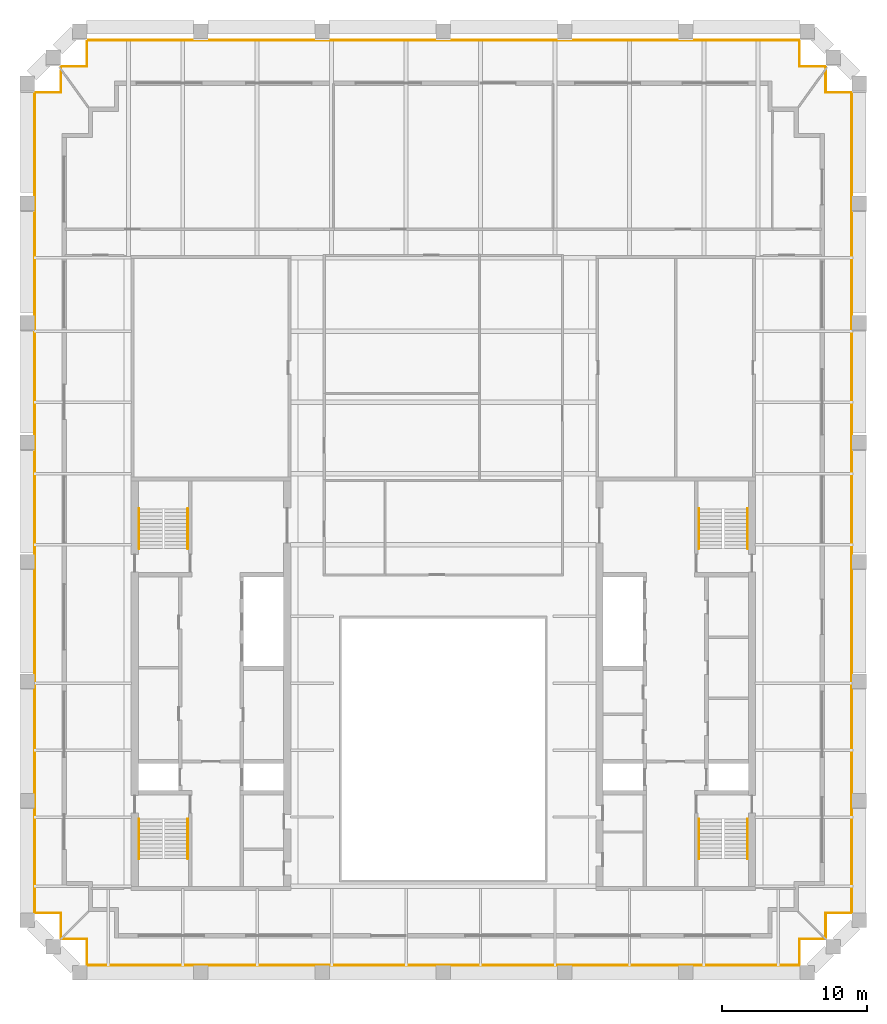
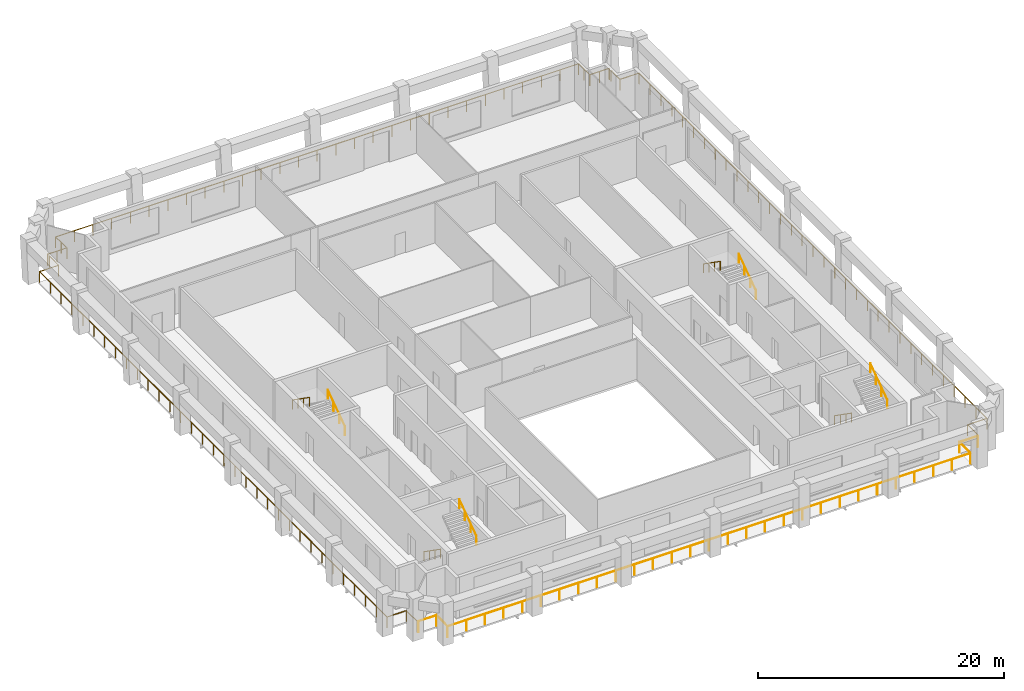
# One storey, part 7 of 7: 12 railings.
"""IFC4 building model written with IfcOpenShell, lengths in metres."""

from ifc_helpers import new_model, si_unit, direction, frame, origin, origin_2d, place, context, subcontext, project, spatial, circle, extrude, material, type_object, element, save


model = new_model("IFC4")

# Units and contexts
model_context = context("Model", 3, precision=1e-05, world=origin(), true_north=direction((0.0, 1.0)))
body_context = subcontext(model_context, "Body", "Model", "MODEL_VIEW")
ifc_project = project(units=[si_unit("LENGTHUNIT", "METRE"), si_unit("AREAUNIT", "SQUARE_METRE"), si_unit("VOLUMEUNIT", "CUBIC_METRE"), si_unit("PLANEANGLEUNIT", "RADIAN"), si_unit("MASSUNIT", "GRAM", prefix="KILO")], contexts=[model_context])

# Site, building, storey
site_placement = place(None, origin())
site = spatial("IfcSite", under=ifc_project, at=site_placement, CompositionType="ELEMENT")
building_placement = place(site_placement, origin())
building = spatial("IfcBuilding", under=site, at=building_placement, Name="Ogive Exchange Tower", CompositionType="ELEMENT")
storey_placement = place(building_placement, frame((0.0, 0.0, 313.199951171875)))
storey = spatial("IfcBuildingStorey", under=building, at=storey_placement, Name="L68", CompositionType="ELEMENT", Elevation=313.199951171875)

# Railings
ifc_material_1 = material(Name="Stainless steel 316", Category="steel")
railing_type_1 = type_object("IfcRailingType", Name="Guard 1100 stainless steel and glass", PredefinedType="GUARDRAIL", material=ifc_material_1)
railing_1_placement = place(storey_placement, frame((26.238037109375, -6.080078125, -0.050048828125)))
element("IfcRailing", 1, at=railing_1_placement, inside=storey, type_object=railing_type_1, Name="Loggia guard 1", PredefinedType="GUARDRAIL", context=body_context, shape_type="SweptSolid", body=[
    extrude(circle(Radius=0.02392578125, at=origin_2d()), frame((0.0, 0.0, 1.076171875), z_axis=(-1.0, 0.0, 0.0), x_axis=(0.0, -1.0, 0.0)), (0.0, 0.0, 1.0), 1.7080078125),
    extrude(circle(Radius=0.02392578125, at=origin_2d()), frame((-1.7080078125, 0.0, 1.076171875), z_axis=(0.0, -1.0, 0.0), x_axis=(1.0, 0.0, 0.0)), (0.0, 0.0, 1.0), 1.7998046875),
    extrude(circle(Radius=0.02392578125, at=origin_2d()), frame((-1.7080078125, -1.7998046875, 1.076171875), z_axis=(-1.0, 0.0, 0.0), x_axis=(0.0, -1.0, 0.0)), (0.0, 0.0, 1.0), 49.06005859375),
    extrude(circle(Radius=0.02392578125, at=origin_2d()), frame((-50.76806640625, -1.7998046875, 1.076171875), z_axis=(0.0, 1.0, 0.0), x_axis=(-1.0, 0.0, 0.0)), (0.0, 0.0, 1.0), 1.7998046875),
    extrude(circle(Radius=0.02392578125, at=origin_2d()), frame((-50.76806640625, 0.0, 1.076171875), z_axis=(-1.0, 0.0, 0.0), x_axis=(0.0, -1.0, 0.0)), (0.0, 0.0, 1.0), 1.7080078125),
    extrude(circle(Radius=0.02099609375, at=origin_2d()), origin(), (0.0, 0.0, 1.0), 1.052001953125),
    extrude(circle(Radius=0.02099609375, at=origin_2d()), frame((-1.7080078125, 0.0, 0.0)), (0.0, 0.0, 1.0), 1.052001953125),
    extrude(circle(Radius=0.02099609375, at=origin_2d()), frame((-1.7080078125, -1.7998046875, 0.0)), (0.0, 0.0, 1.0), 1.052001953125),
    extrude(circle(Radius=0.02099609375, at=origin_2d()), frame((-3.460205078125, -1.7998046875, 0.0)), (0.0, 0.0, 1.0), 1.052001953125),
    extrude(circle(Radius=0.02099609375, at=origin_2d()), frame((-5.21240234375, -1.7998046875, 0.0)), (0.0, 0.0, 1.0), 1.052001953125),
    extrude(circle(Radius=0.02099609375, at=origin_2d()), frame((-6.96435546875, -1.7998046875, 0.0)), (0.0, 0.0, 1.0), 1.052001953125),
    extrude(circle(Radius=0.02099609375, at=origin_2d()), frame((-8.716552734375, -1.7998046875, 0.0)), (0.0, 0.0, 1.0), 1.052001953125),
    extrude(circle(Radius=0.02099609375, at=origin_2d()), frame((-10.46875, -1.7998046875, 0.0)), (0.0, 0.0, 1.0), 1.052001953125),
    extrude(circle(Radius=0.02099609375, at=origin_2d()), frame((-12.220947265625, -1.7998046875, 0.0)), (0.0, 0.0, 1.0), 1.052001953125),
    extrude(circle(Radius=0.02099609375, at=origin_2d()), frame((-13.97314453125, -1.7998046875, 0.0)), (0.0, 0.0, 1.0), 1.052001953125),
    extrude(circle(Radius=0.02099609375, at=origin_2d()), frame((-15.72509765625, -1.7998046875, 0.0)), (0.0, 0.0, 1.0), 1.052001953125),
    extrude(circle(Radius=0.02099609375, at=origin_2d()), frame((-17.477294921875, -1.7998046875, 0.0)), (0.0, 0.0, 1.0), 1.052001953125),
    extrude(circle(Radius=0.02099609375, at=origin_2d()), frame((-19.2294921875, -1.7998046875, 0.0)), (0.0, 0.0, 1.0), 1.052001953125),
    extrude(circle(Radius=0.02099609375, at=origin_2d()), frame((-20.981689453125, -1.7998046875, 0.0)), (0.0, 0.0, 1.0), 1.052001953125),
    extrude(circle(Radius=0.02099609375, at=origin_2d()), frame((-22.733642578125, -1.7998046875, 0.0)), (0.0, 0.0, 1.0), 1.052001953125),
    extrude(circle(Radius=0.02099609375, at=origin_2d()), frame((-24.48583984375, -1.7998046875, 0.0)), (0.0, 0.0, 1.0), 1.052001953125),
    extrude(circle(Radius=0.02099609375, at=origin_2d()), frame((-26.238037109375, -1.7998046875, 0.0)), (0.0, 0.0, 1.0), 1.052001953125),
    extrude(circle(Radius=0.02099609375, at=origin_2d()), frame((-27.990234375, -1.7998046875, 0.0)), (0.0, 0.0, 1.0), 1.052001953125),
    extrude(circle(Radius=0.02099609375, at=origin_2d()), frame((-29.742431640625, -1.7998046875, 0.0)), (0.0, 0.0, 1.0), 1.052001953125),
    extrude(circle(Radius=0.02099609375, at=origin_2d()), frame((-31.494384765625, -1.7998046875, 0.0)), (0.0, 0.0, 1.0), 1.052001953125),
    extrude(circle(Radius=0.02099609375, at=origin_2d()), frame((-33.24658203125, -1.7998046875, 0.0)), (0.0, 0.0, 1.0), 1.052001953125),
    extrude(circle(Radius=0.02099609375, at=origin_2d()), frame((-34.998779296875, -1.7998046875, 0.0)), (0.0, 0.0, 1.0), 1.052001953125),
    extrude(circle(Radius=0.02099609375, at=origin_2d()), frame((-36.7509765625, -1.7998046875, 0.0)), (0.0, 0.0, 1.0), 1.052001953125),
    extrude(circle(Radius=0.02099609375, at=origin_2d()), frame((-38.5029296875, -1.7998046875, 0.0)), (0.0, 0.0, 1.0), 1.052001953125),
    extrude(circle(Radius=0.02099609375, at=origin_2d()), frame((-40.255126953125, -1.7998046875, 0.0)), (0.0, 0.0, 1.0), 1.052001953125),
    extrude(circle(Radius=0.02099609375, at=origin_2d()), frame((-42.00732421875, -1.7998046875, 0.0)), (0.0, 0.0, 1.0), 1.052001953125),
    extrude(circle(Radius=0.02099609375, at=origin_2d()), frame((-43.759521484375, -1.7998046875, 0.0)), (0.0, 0.0, 1.0), 1.052001953125),
    extrude(circle(Radius=0.02099609375, at=origin_2d()), frame((-45.51171875, -1.7998046875, 0.0)), (0.0, 0.0, 1.0), 1.052001953125),
    extrude(circle(Radius=0.02099609375, at=origin_2d()), frame((-47.263671875, -1.7998046875, 0.0)), (0.0, 0.0, 1.0), 1.052001953125),
    extrude(circle(Radius=0.02099609375, at=origin_2d()), frame((-49.015869140625, -1.7998046875, 0.0)), (0.0, 0.0, 1.0), 1.052001953125),
    extrude(circle(Radius=0.02099609375, at=origin_2d()), frame((-50.76806640625, -1.7998046875, 0.0)), (0.0, 0.0, 1.0), 1.052001953125),
    extrude(circle(Radius=0.02099609375, at=origin_2d()), frame((-50.76806640625, 0.0, 0.0)), (0.0, 0.0, 1.0), 1.052001953125),
    extrude(circle(Radius=0.02099609375, at=origin_2d()), frame((-52.47607421875, 0.0, 0.0)), (0.0, 0.0, 1.0), 1.052001953125),
])
railing_2_placement = place(storey_placement, frame((-26.330078125, -5.988037109375, -0.050048828125)))
element("IfcRailing", 2, at=railing_2_placement, inside=storey, type_object=railing_type_1, Name="Loggia guard 2", PredefinedType="GUARDRAIL", context=body_context, shape_type="SweptSolid", body=[
    extrude(circle(Radius=0.02392578125, at=origin_2d()), frame((0.0, 0.0, 1.076171875), z_axis=(0.0, 1.0, 0.0), x_axis=(-1.0, 0.0, 0.0)), (0.0, 0.0, 1.0), 1.7080078125),
    extrude(circle(Radius=0.02392578125, at=origin_2d()), frame((0.0, 1.7080078125, 1.076171875), z_axis=(-1.0, 0.0, 0.0), x_axis=(0.0, -1.0, 0.0)), (0.0, 0.0, 1.0), 1.7998046875),
    extrude(circle(Radius=0.02392578125, at=origin_2d()), frame((-1.7998046875, 1.7080078125, 1.076171875), z_axis=(0.0, 1.0, 0.0), x_axis=(-1.0, 0.0, 0.0)), (0.0, 0.0, 1.0), 56.4873046875),
    extrude(circle(Radius=0.02392578125, at=origin_2d()), frame((-1.7998046875, 58.1953125, 1.076171875), z_axis=(1.0, 0.0, 0.0), x_axis=(0.0, 1.0, 0.0)), (0.0, 0.0, 1.0), 1.7998046875),
    extrude(circle(Radius=0.02392578125, at=origin_2d()), frame((0.0, 58.1953125, 1.076171875), z_axis=(0.0, 1.0, 0.0), x_axis=(-1.0, 0.0, 0.0)), (0.0, 0.0, 1.0), 1.488037109375),
    extrude(circle(Radius=0.02099609375, at=origin_2d()), origin(), (0.0, 0.0, 1.0), 1.052001953125),
    extrude(circle(Radius=0.02099609375, at=origin_2d()), frame((0.0, 1.7080078125, 0.0)), (0.0, 0.0, 1.0), 1.052001953125),
    extrude(circle(Radius=0.02099609375, at=origin_2d()), frame((-1.7998046875, 1.7080078125, 0.0)), (0.0, 0.0, 1.0), 1.052001953125),
    extrude(circle(Radius=0.02099609375, at=origin_2d()), frame((-1.7998046875, 3.47314453125, 0.0)), (0.0, 0.0, 1.0), 1.052001953125),
    extrude(circle(Radius=0.02099609375, at=origin_2d()), frame((-1.7998046875, 5.238525390625, 0.0)), (0.0, 0.0, 1.0), 1.052001953125),
    extrude(circle(Radius=0.02099609375, at=origin_2d()), frame((-1.7998046875, 7.003662109375, 0.0)), (0.0, 0.0, 1.0), 1.052001953125),
    extrude(circle(Radius=0.02099609375, at=origin_2d()), frame((-1.7998046875, 8.76904296875, 0.0)), (0.0, 0.0, 1.0), 1.052001953125),
    extrude(circle(Radius=0.02099609375, at=origin_2d()), frame((-1.7998046875, 10.5341796875, 0.0)), (0.0, 0.0, 1.0), 1.052001953125),
    extrude(circle(Radius=0.02099609375, at=origin_2d()), frame((-1.7998046875, 12.29931640625, 0.0)), (0.0, 0.0, 1.0), 1.052001953125),
    extrude(circle(Radius=0.02099609375, at=origin_2d()), frame((-1.7998046875, 14.064697265625, 0.0)), (0.0, 0.0, 1.0), 1.052001953125),
    extrude(circle(Radius=0.02099609375, at=origin_2d()), frame((-1.7998046875, 15.829833984375, 0.0)), (0.0, 0.0, 1.0), 1.052001953125),
    extrude(circle(Radius=0.02099609375, at=origin_2d()), frame((-1.7998046875, 17.594970703125, 0.0)), (0.0, 0.0, 1.0), 1.052001953125),
    extrude(circle(Radius=0.02099609375, at=origin_2d()), frame((-1.7998046875, 19.3603515625, 0.0)), (0.0, 0.0, 1.0), 1.052001953125),
    extrude(circle(Radius=0.02099609375, at=origin_2d()), frame((-1.7998046875, 21.12548828125, 0.0)), (0.0, 0.0, 1.0), 1.052001953125),
    extrude(circle(Radius=0.02099609375, at=origin_2d()), frame((-1.7998046875, 22.890625, 0.0)), (0.0, 0.0, 1.0), 1.052001953125),
    extrude(circle(Radius=0.02099609375, at=origin_2d()), frame((-1.7998046875, 24.656005859375, 0.0)), (0.0, 0.0, 1.0), 1.052001953125),
    extrude(circle(Radius=0.02099609375, at=origin_2d()), frame((-1.7998046875, 26.421142578125, 0.0)), (0.0, 0.0, 1.0), 1.052001953125),
    extrude(circle(Radius=0.02099609375, at=origin_2d()), frame((-1.7998046875, 28.1865234375, 0.0)), (0.0, 0.0, 1.0), 1.052001953125),
    extrude(circle(Radius=0.02099609375, at=origin_2d()), frame((-1.7998046875, 29.95166015625, 0.0)), (0.0, 0.0, 1.0), 1.052001953125),
    extrude(circle(Radius=0.02099609375, at=origin_2d()), frame((-1.7998046875, 31.716796875, 0.0)), (0.0, 0.0, 1.0), 1.052001953125),
    extrude(circle(Radius=0.02099609375, at=origin_2d()), frame((-1.7998046875, 33.482177734375, 0.0)), (0.0, 0.0, 1.0), 1.052001953125),
    extrude(circle(Radius=0.02099609375, at=origin_2d()), frame((-1.7998046875, 35.247314453125, 0.0)), (0.0, 0.0, 1.0), 1.052001953125),
    extrude(circle(Radius=0.02099609375, at=origin_2d()), frame((-1.7998046875, 37.0126953125, 0.0)), (0.0, 0.0, 1.0), 1.052001953125),
    extrude(circle(Radius=0.02099609375, at=origin_2d()), frame((-1.7998046875, 38.77783203125, 0.0)), (0.0, 0.0, 1.0), 1.052001953125),
    extrude(circle(Radius=0.02099609375, at=origin_2d()), frame((-1.7998046875, 40.54296875, 0.0)), (0.0, 0.0, 1.0), 1.052001953125),
    extrude(circle(Radius=0.02099609375, at=origin_2d()), frame((-1.7998046875, 42.308349609375, 0.0)), (0.0, 0.0, 1.0), 1.052001953125),
    extrude(circle(Radius=0.02099609375, at=origin_2d()), frame((-1.7998046875, 44.073486328125, 0.0)), (0.0, 0.0, 1.0), 1.052001953125),
    extrude(circle(Radius=0.02099609375, at=origin_2d()), frame((-1.7998046875, 45.838623046875, 0.0)), (0.0, 0.0, 1.0), 1.052001953125),
    extrude(circle(Radius=0.02099609375, at=origin_2d()), frame((-1.7998046875, 47.60400390625, 0.0)), (0.0, 0.0, 1.0), 1.052001953125),
    extrude(circle(Radius=0.02099609375, at=origin_2d()), frame((-1.7998046875, 49.369140625, 0.0)), (0.0, 0.0, 1.0), 1.052001953125),
    extrude(circle(Radius=0.02099609375, at=origin_2d()), frame((-1.7998046875, 51.13427734375, 0.0)), (0.0, 0.0, 1.0), 1.052001953125),
    extrude(circle(Radius=0.02099609375, at=origin_2d()), frame((-1.7998046875, 52.899658203125, 0.0)), (0.0, 0.0, 1.0), 1.052001953125),
    extrude(circle(Radius=0.02099609375, at=origin_2d()), frame((-1.7998046875, 54.664794921875, 0.0)), (0.0, 0.0, 1.0), 1.052001953125),
    extrude(circle(Radius=0.02099609375, at=origin_2d()), frame((-1.7998046875, 56.43017578125, 0.0)), (0.0, 0.0, 1.0), 1.052001953125),
    extrude(circle(Radius=0.02099609375, at=origin_2d()), frame((-1.7998046875, 58.1953125, 0.0)), (0.0, 0.0, 1.0), 1.052001953125),
    extrude(circle(Radius=0.02099609375, at=origin_2d()), frame((0.0, 58.1953125, 0.0)), (0.0, 0.0, 1.0), 1.052001953125),
    extrude(circle(Radius=0.02099609375, at=origin_2d()), frame((0.0, 59.683349609375, 0.0)), (0.0, 0.0, 1.0), 1.052001953125),
])
railing_3_placement = place(storey_placement, frame((-26.330078125, 53.91748046875, -0.050048828125)))
element("IfcRailing", 3, at=railing_3_placement, inside=storey, type_object=railing_type_1, Name="Loggia guard 3", PredefinedType="GUARDRAIL", context=body_context, shape_type="SweptSolid", body=[
    extrude(circle(Radius=0.02392578125, at=origin_2d()), frame((0.0, 0.0, 1.076171875), z_axis=(0.0, 1.0, 0.0), x_axis=(-1.0, 0.0, 0.0)), (0.0, 0.0, 1.0), 0.08984375),
    extrude(circle(Radius=0.02392578125, at=origin_2d()), frame((0.0, 0.08984375, 1.076171875), z_axis=(1.0, 0.0, 0.0), x_axis=(0.0, 1.0, 0.0)), (0.0, 0.0, 1.0), 1.800048828125),
    extrude(circle(Radius=0.02392578125, at=origin_2d()), frame((1.800048828125, 0.08984375, 1.076171875), z_axis=(0.0, 1.0, 0.0), x_axis=(-1.0, 0.0, 0.0)), (0.0, 0.0, 1.0), 1.800048828125),
    extrude(circle(Radius=0.02392578125, at=origin_2d()), frame((1.800048828125, 1.889892578125, 1.076171875), z_axis=(1.0, 0.0, 0.0), x_axis=(0.0, 1.0, 0.0)), (0.0, 0.0, 1.0), 49.06005859375),
    extrude(circle(Radius=0.02392578125, at=origin_2d()), frame((50.860107421875, 1.889892578125, 1.076171875), z_axis=(0.0, -1.0, 0.0), x_axis=(1.0, 0.0, 0.0)), (0.0, 0.0, 1.0), 1.800048828125),
    extrude(circle(Radius=0.02392578125, at=origin_2d()), frame((50.860107421875, 0.08984375, 1.076171875), z_axis=(1.0, 0.0, 0.0), x_axis=(0.0, 1.0, 0.0)), (0.0, 0.0, 1.0), 1.800048828125),
    extrude(circle(Radius=0.02392578125, at=origin_2d()), frame((52.66015625, 0.08984375, 1.076171875), z_axis=(0.0, -1.0, 0.0), x_axis=(1.0, 0.0, 0.0)), (0.0, 0.0, 1.0), 0.08984375),
    extrude(circle(Radius=0.02099609375, at=origin_2d()), origin(), (0.0, 0.0, 1.0), 1.052001953125),
    extrude(circle(Radius=0.02099609375, at=origin_2d()), frame((0.0, 0.08984375, 0.0)), (0.0, 0.0, 1.0), 1.052001953125),
    extrude(circle(Radius=0.02099609375, at=origin_2d()), frame((0.89990234375, 0.08984375, 0.0)), (0.0, 0.0, 1.0), 1.052001953125),
    extrude(circle(Radius=0.02099609375, at=origin_2d()), frame((1.800048828125, 0.08984375, 0.0)), (0.0, 0.0, 1.0), 1.052001953125),
    extrude(circle(Radius=0.02099609375, at=origin_2d()), frame((1.800048828125, 0.98974609375, 0.0)), (0.0, 0.0, 1.0), 1.052001953125),
    extrude(circle(Radius=0.02099609375, at=origin_2d()), frame((1.800048828125, 1.889892578125, 0.0)), (0.0, 0.0, 1.0), 1.052001953125),
    extrude(circle(Radius=0.02099609375, at=origin_2d()), frame((3.55224609375, 1.889892578125, 0.0)), (0.0, 0.0, 1.0), 1.052001953125),
    extrude(circle(Radius=0.02099609375, at=origin_2d()), frame((5.304443359375, 1.889892578125, 0.0)), (0.0, 0.0, 1.0), 1.052001953125),
    extrude(circle(Radius=0.02099609375, at=origin_2d()), frame((7.056396484375, 1.889892578125, 0.0)), (0.0, 0.0, 1.0), 1.052001953125),
    extrude(circle(Radius=0.02099609375, at=origin_2d()), frame((8.80859375, 1.889892578125, 0.0)), (0.0, 0.0, 1.0), 1.052001953125),
    extrude(circle(Radius=0.02099609375, at=origin_2d()), frame((10.560791015625, 1.889892578125, 0.0)), (0.0, 0.0, 1.0), 1.052001953125),
    extrude(circle(Radius=0.02099609375, at=origin_2d()), frame((12.31298828125, 1.889892578125, 0.0)), (0.0, 0.0, 1.0), 1.052001953125),
    extrude(circle(Radius=0.02099609375, at=origin_2d()), frame((14.06494140625, 1.889892578125, 0.0)), (0.0, 0.0, 1.0), 1.052001953125),
    extrude(circle(Radius=0.02099609375, at=origin_2d()), frame((15.817138671875, 1.889892578125, 0.0)), (0.0, 0.0, 1.0), 1.052001953125),
    extrude(circle(Radius=0.02099609375, at=origin_2d()), frame((17.5693359375, 1.889892578125, 0.0)), (0.0, 0.0, 1.0), 1.052001953125),
    extrude(circle(Radius=0.02099609375, at=origin_2d()), frame((19.321533203125, 1.889892578125, 0.0)), (0.0, 0.0, 1.0), 1.052001953125),
    extrude(circle(Radius=0.02099609375, at=origin_2d()), frame((21.07373046875, 1.889892578125, 0.0)), (0.0, 0.0, 1.0), 1.052001953125),
    extrude(circle(Radius=0.02099609375, at=origin_2d()), frame((22.82568359375, 1.889892578125, 0.0)), (0.0, 0.0, 1.0), 1.052001953125),
    extrude(circle(Radius=0.02099609375, at=origin_2d()), frame((24.577880859375, 1.889892578125, 0.0)), (0.0, 0.0, 1.0), 1.052001953125),
    extrude(circle(Radius=0.02099609375, at=origin_2d()), frame((26.330078125, 1.889892578125, 0.0)), (0.0, 0.0, 1.0), 1.052001953125),
    extrude(circle(Radius=0.02099609375, at=origin_2d()), frame((28.082275390625, 1.889892578125, 0.0)), (0.0, 0.0, 1.0), 1.052001953125),
    extrude(circle(Radius=0.02099609375, at=origin_2d()), frame((29.83447265625, 1.889892578125, 0.0)), (0.0, 0.0, 1.0), 1.052001953125),
    extrude(circle(Radius=0.02099609375, at=origin_2d()), frame((31.58642578125, 1.889892578125, 0.0)), (0.0, 0.0, 1.0), 1.052001953125),
    extrude(circle(Radius=0.02099609375, at=origin_2d()), frame((33.338623046875, 1.889892578125, 0.0)), (0.0, 0.0, 1.0), 1.052001953125),
    extrude(circle(Radius=0.02099609375, at=origin_2d()), frame((35.0908203125, 1.889892578125, 0.0)), (0.0, 0.0, 1.0), 1.052001953125),
    extrude(circle(Radius=0.02099609375, at=origin_2d()), frame((36.843017578125, 1.889892578125, 0.0)), (0.0, 0.0, 1.0), 1.052001953125),
    extrude(circle(Radius=0.02099609375, at=origin_2d()), frame((38.59521484375, 1.889892578125, 0.0)), (0.0, 0.0, 1.0), 1.052001953125),
    extrude(circle(Radius=0.02099609375, at=origin_2d()), frame((40.34716796875, 1.889892578125, 0.0)), (0.0, 0.0, 1.0), 1.052001953125),
    extrude(circle(Radius=0.02099609375, at=origin_2d()), frame((42.099365234375, 1.889892578125, 0.0)), (0.0, 0.0, 1.0), 1.052001953125),
    extrude(circle(Radius=0.02099609375, at=origin_2d()), frame((43.8515625, 1.889892578125, 0.0)), (0.0, 0.0, 1.0), 1.052001953125),
    extrude(circle(Radius=0.02099609375, at=origin_2d()), frame((45.603759765625, 1.889892578125, 0.0)), (0.0, 0.0, 1.0), 1.052001953125),
    extrude(circle(Radius=0.02099609375, at=origin_2d()), frame((47.355712890625, 1.889892578125, 0.0)), (0.0, 0.0, 1.0), 1.052001953125),
    extrude(circle(Radius=0.02099609375, at=origin_2d()), frame((49.10791015625, 1.889892578125, 0.0)), (0.0, 0.0, 1.0), 1.052001953125),
    extrude(circle(Radius=0.02099609375, at=origin_2d()), frame((50.860107421875, 1.889892578125, 0.0)), (0.0, 0.0, 1.0), 1.052001953125),
    extrude(circle(Radius=0.02099609375, at=origin_2d()), frame((50.860107421875, 0.98974609375, 0.0)), (0.0, 0.0, 1.0), 1.052001953125),
    extrude(circle(Radius=0.02099609375, at=origin_2d()), frame((50.860107421875, 0.08984375, 0.0)), (0.0, 0.0, 1.0), 1.052001953125),
    extrude(circle(Radius=0.02099609375, at=origin_2d()), frame((51.76025390625, 0.08984375, 0.0)), (0.0, 0.0, 1.0), 1.052001953125),
    extrude(circle(Radius=0.02099609375, at=origin_2d()), frame((52.66015625, 0.08984375, 0.0)), (0.0, 0.0, 1.0), 1.052001953125),
    extrude(circle(Radius=0.02099609375, at=origin_2d()), frame((52.66015625, 0.0, 0.0)), (0.0, 0.0, 1.0), 1.052001953125),
])
railing_4_placement = place(storey_placement, frame((26.330078125, 53.6953125, -0.050048828125)))
element("IfcRailing", 4, at=railing_4_placement, inside=storey, type_object=railing_type_1, Name="Loggia guard 4", PredefinedType="GUARDRAIL", context=body_context, shape_type="SweptSolid", body=[
    extrude(circle(Radius=0.02392578125, at=origin_2d()), frame((0.0, 0.0, 1.076171875), z_axis=(0.0, -1.0, 0.0), x_axis=(1.0, 0.0, 0.0)), (0.0, 0.0, 1.0), 1.488037109375),
    extrude(circle(Radius=0.02392578125, at=origin_2d()), frame((0.0, -1.488037109375, 1.076171875), z_axis=(1.0, 0.0, 0.0), x_axis=(0.0, 1.0, 0.0)), (0.0, 0.0, 1.0), 1.7998046875),
    extrude(circle(Radius=0.02392578125, at=origin_2d()), frame((1.7998046875, -1.488037109375, 1.076171875), z_axis=(0.0, -1.0, 0.0), x_axis=(1.0, 0.0, 0.0)), (0.0, 0.0, 1.0), 56.4873046875),
    extrude(circle(Radius=0.02392578125, at=origin_2d()), frame((1.7998046875, -57.975341796875, 1.076171875), z_axis=(-1.0, 0.0, 0.0), x_axis=(0.0, -1.0, 0.0)), (0.0, 0.0, 1.0), 1.7998046875),
    extrude(circle(Radius=0.02392578125, at=origin_2d()), frame((0.0, -57.975341796875, 1.076171875), z_axis=(0.0, -1.0, 0.0), x_axis=(1.0, 0.0, 0.0)), (0.0, 0.0, 1.0), 1.7080078125),
    extrude(circle(Radius=0.02099609375, at=origin_2d()), origin(), (0.0, 0.0, 1.0), 1.052001953125),
    extrude(circle(Radius=0.02099609375, at=origin_2d()), frame((0.0, -1.488037109375, 0.0)), (0.0, 0.0, 1.0), 1.052001953125),
    extrude(circle(Radius=0.02099609375, at=origin_2d()), frame((1.7998046875, -1.488037109375, 0.0)), (0.0, 0.0, 1.0), 1.052001953125),
    extrude(circle(Radius=0.02099609375, at=origin_2d()), frame((1.7998046875, -3.253173828125, 0.0)), (0.0, 0.0, 1.0), 1.052001953125),
    extrude(circle(Radius=0.02099609375, at=origin_2d()), frame((1.7998046875, -5.0185546875, 0.0)), (0.0, 0.0, 1.0), 1.052001953125),
    extrude(circle(Radius=0.02099609375, at=origin_2d()), frame((1.7998046875, -6.78369140625, 0.0)), (0.0, 0.0, 1.0), 1.052001953125),
    extrude(circle(Radius=0.02099609375, at=origin_2d()), frame((1.7998046875, -8.548828125, 0.0)), (0.0, 0.0, 1.0), 1.052001953125),
    extrude(circle(Radius=0.02099609375, at=origin_2d()), frame((1.7998046875, -10.314208984375, 0.0)), (0.0, 0.0, 1.0), 1.052001953125),
    extrude(circle(Radius=0.02099609375, at=origin_2d()), frame((1.7998046875, -12.079345703125, 0.0)), (0.0, 0.0, 1.0), 1.052001953125),
    extrude(circle(Radius=0.02099609375, at=origin_2d()), frame((1.7998046875, -13.8447265625, 0.0)), (0.0, 0.0, 1.0), 1.052001953125),
    extrude(circle(Radius=0.02099609375, at=origin_2d()), frame((1.7998046875, -15.60986328125, 0.0)), (0.0, 0.0, 1.0), 1.052001953125),
    extrude(circle(Radius=0.02099609375, at=origin_2d()), frame((1.7998046875, -17.375, 0.0)), (0.0, 0.0, 1.0), 1.052001953125),
    extrude(circle(Radius=0.02099609375, at=origin_2d()), frame((1.7998046875, -19.140380859375, 0.0)), (0.0, 0.0, 1.0), 1.052001953125),
    extrude(circle(Radius=0.02099609375, at=origin_2d()), frame((1.7998046875, -20.905517578125, 0.0)), (0.0, 0.0, 1.0), 1.052001953125),
    extrude(circle(Radius=0.02099609375, at=origin_2d()), frame((1.7998046875, -22.6708984375, 0.0)), (0.0, 0.0, 1.0), 1.052001953125),
    extrude(circle(Radius=0.02099609375, at=origin_2d()), frame((1.7998046875, -24.43603515625, 0.0)), (0.0, 0.0, 1.0), 1.052001953125),
    extrude(circle(Radius=0.02099609375, at=origin_2d()), frame((1.7998046875, -26.201171875, 0.0)), (0.0, 0.0, 1.0), 1.052001953125),
    extrude(circle(Radius=0.02099609375, at=origin_2d()), frame((1.7998046875, -27.966552734375, 0.0)), (0.0, 0.0, 1.0), 1.052001953125),
    extrude(circle(Radius=0.02099609375, at=origin_2d()), frame((1.7998046875, -29.731689453125, 0.0)), (0.0, 0.0, 1.0), 1.052001953125),
    extrude(circle(Radius=0.02099609375, at=origin_2d()), frame((1.7998046875, -31.496826171875, 0.0)), (0.0, 0.0, 1.0), 1.052001953125),
    extrude(circle(Radius=0.02099609375, at=origin_2d()), frame((1.7998046875, -33.26220703125, 0.0)), (0.0, 0.0, 1.0), 1.052001953125),
    extrude(circle(Radius=0.02099609375, at=origin_2d()), frame((1.7998046875, -35.02734375, 0.0)), (0.0, 0.0, 1.0), 1.052001953125),
    extrude(circle(Radius=0.02099609375, at=origin_2d()), frame((1.7998046875, -36.79248046875, 0.0)), (0.0, 0.0, 1.0), 1.052001953125),
    extrude(circle(Radius=0.02099609375, at=origin_2d()), frame((1.7998046875, -38.557861328125, 0.0)), (0.0, 0.0, 1.0), 1.052001953125),
    extrude(circle(Radius=0.02099609375, at=origin_2d()), frame((1.7998046875, -40.322998046875, 0.0)), (0.0, 0.0, 1.0), 1.052001953125),
    extrude(circle(Radius=0.02099609375, at=origin_2d()), frame((1.7998046875, -42.08837890625, 0.0)), (0.0, 0.0, 1.0), 1.052001953125),
    extrude(circle(Radius=0.02099609375, at=origin_2d()), frame((1.7998046875, -43.853515625, 0.0)), (0.0, 0.0, 1.0), 1.052001953125),
    extrude(circle(Radius=0.02099609375, at=origin_2d()), frame((1.7998046875, -45.61865234375, 0.0)), (0.0, 0.0, 1.0), 1.052001953125),
    extrude(circle(Radius=0.02099609375, at=origin_2d()), frame((1.7998046875, -47.384033203125, 0.0)), (0.0, 0.0, 1.0), 1.052001953125),
    extrude(circle(Radius=0.02099609375, at=origin_2d()), frame((1.7998046875, -49.149169921875, 0.0)), (0.0, 0.0, 1.0), 1.052001953125),
    extrude(circle(Radius=0.02099609375, at=origin_2d()), frame((1.7998046875, -50.91455078125, 0.0)), (0.0, 0.0, 1.0), 1.052001953125),
    extrude(circle(Radius=0.02099609375, at=origin_2d()), frame((1.7998046875, -52.6796875, 0.0)), (0.0, 0.0, 1.0), 1.052001953125),
    extrude(circle(Radius=0.02099609375, at=origin_2d()), frame((1.7998046875, -54.44482421875, 0.0)), (0.0, 0.0, 1.0), 1.052001953125),
    extrude(circle(Radius=0.02099609375, at=origin_2d()), frame((1.7998046875, -56.210205078125, 0.0)), (0.0, 0.0, 1.0), 1.052001953125),
    extrude(circle(Radius=0.02099609375, at=origin_2d()), frame((1.7998046875, -57.975341796875, 0.0)), (0.0, 0.0, 1.0), 1.052001953125),
    extrude(circle(Radius=0.02099609375, at=origin_2d()), frame((0.0, -57.975341796875, 0.0)), (0.0, 0.0, 1.0), 1.052001953125),
    extrude(circle(Radius=0.02099609375, at=origin_2d()), frame((0.0, -59.683349609375, 0.0)), (0.0, 0.0, 1.0), 1.052001953125),
])
ifc_material_2 = material(Name="Stainless steel", Category="steel")
railing_type_2 = type_object("IfcRailingType", Name="Stair handrail 900", PredefinedType="HANDRAIL", material=ifc_material_2)
railing_5_placement = place(storey_placement, frame((-20.949951171875, 2.199951171875, 0.175048828125)))
element("IfcRailing", 5, at=railing_5_placement, inside=storey, type_object=railing_type_2, Name="L68 ST1 stair handrail 1", PredefinedType="HANDRAIL", context=body_context, shape_type="SweptSolid", body=[
    extrude(circle(Radius=0.02392578125, at=origin_2d()), frame((0.0, 0.0, 0.8759765625), z_axis=(0.0, -0.819225086817, 0.573472106672), x_axis=(1.0, 0.0, 0.0)), (0.0, 0.0, 1.0), 3.35693359375),
    extrude(circle(Radius=0.02099609375, at=origin_2d()), origin(), (0.0, 0.0, 1.0), 0.851806640625),
    extrude(circle(Radius=0.02099609375, at=origin_2d()), frame((0.0, -0.916748046875, 0.6416015625)), (0.0, 0.0, 1.0), 0.851806640625),
    extrude(circle(Radius=0.02099609375, at=origin_2d()), frame((0.0, -1.833251953125, 1.283447265625)), (0.0, 0.0, 1.0), 0.851806640625),
    extrude(circle(Radius=0.02099609375, at=origin_2d()), frame((0.0, -2.75, 1.925048828125)), (0.0, 0.0, 1.0), 0.851806640625),
])
railing_6_placement = place(storey_placement, frame((-17.60009765625, -0.550048828125, 2.275146484375)))
element("IfcRailing", 6, at=railing_6_placement, inside=storey, type_object=railing_type_2, Name="L68 ST1 stair handrail 2", PredefinedType="HANDRAIL", context=body_context, shape_type="SweptSolid", body=[
    extrude(circle(Radius=0.02392578125, at=origin_2d()), frame((0.0, 0.0, 0.8759765625), z_axis=(0.0, 0.819259255306, 0.573423292687), x_axis=(-1.0, 0.0, 0.0)), (0.0, 0.0, 1.0), 3.356689453125),
    extrude(circle(Radius=0.02099609375, at=origin_2d()), origin(), (0.0, 0.0, 1.0), 0.851806640625),
    extrude(circle(Radius=0.02099609375, at=origin_2d()), frame((0.0, 0.916748046875, 0.6416015625)), (0.0, 0.0, 1.0), 0.851806640625),
    extrude(circle(Radius=0.02099609375, at=origin_2d()), frame((0.0, 1.833251953125, 1.283203125)), (0.0, 0.0, 1.0), 0.851806640625),
    extrude(circle(Radius=0.02099609375, at=origin_2d()), frame((0.0, 2.75, 1.9248046875)), (0.0, 0.0, 1.0), 0.851806640625),
])
railing_7_placement = place(storey_placement, frame((-17.60009765625, 20.800048828125, 0.175048828125)))
element("IfcRailing", 7, at=railing_7_placement, inside=storey, type_object=railing_type_2, Name="L68 ST2 stair handrail 1", PredefinedType="HANDRAIL", context=body_context, shape_type="SweptSolid", body=[
    extrude(circle(Radius=0.02392578125, at=origin_2d()), frame((0.0, 0.0, 0.8759765625), z_axis=(0.0, 0.819225086817, 0.573472106672), x_axis=(-1.0, 0.0, 0.0)), (0.0, 0.0, 1.0), 3.35693359375),
    extrude(circle(Radius=0.02099609375, at=origin_2d()), origin(), (0.0, 0.0, 1.0), 0.851806640625),
    extrude(circle(Radius=0.02099609375, at=origin_2d()), frame((0.0, 0.916748046875, 0.6416015625)), (0.0, 0.0, 1.0), 0.851806640625),
    extrude(circle(Radius=0.02099609375, at=origin_2d()), frame((0.0, 1.833251953125, 1.283447265625)), (0.0, 0.0, 1.0), 0.851806640625),
    extrude(circle(Radius=0.02099609375, at=origin_2d()), frame((0.0, 2.75, 1.925048828125)), (0.0, 0.0, 1.0), 0.851806640625),
])
railing_8_placement = place(storey_placement, frame((-20.949951171875, 23.550048828125, 2.275146484375)))
element("IfcRailing", 8, at=railing_8_placement, inside=storey, type_object=railing_type_2, Name="L68 ST2 stair handrail 2", PredefinedType="HANDRAIL", context=body_context, shape_type="SweptSolid", body=[
    extrude(circle(Radius=0.02392578125, at=origin_2d()), frame((0.0, 0.0, 0.8759765625), z_axis=(0.0, -0.819259255306, 0.573423292687), x_axis=(1.0, 0.0, 0.0)), (0.0, 0.0, 1.0), 3.356689453125),
    extrude(circle(Radius=0.02099609375, at=origin_2d()), origin(), (0.0, 0.0, 1.0), 0.851806640625),
    extrude(circle(Radius=0.02099609375, at=origin_2d()), frame((0.0, -0.916748046875, 0.6416015625)), (0.0, 0.0, 1.0), 0.851806640625),
    extrude(circle(Radius=0.02099609375, at=origin_2d()), frame((0.0, -1.833251953125, 1.283203125)), (0.0, 0.0, 1.0), 0.851806640625),
    extrude(circle(Radius=0.02099609375, at=origin_2d()), frame((0.0, -2.75, 1.9248046875)), (0.0, 0.0, 1.0), 0.851806640625),
])
railing_9_placement = place(storey_placement, frame((17.60009765625, 2.199951171875, 0.175048828125)))
element("IfcRailing", 9, at=railing_9_placement, inside=storey, type_object=railing_type_2, Name="L68 ST3 stair handrail 1", PredefinedType="HANDRAIL", context=body_context, shape_type="SweptSolid", body=[
    extrude(circle(Radius=0.02392578125, at=origin_2d()), frame((0.0, 0.0, 0.8759765625), z_axis=(0.0, -0.819225086817, 0.573472106672), x_axis=(1.0, 0.0, 0.0)), (0.0, 0.0, 1.0), 3.35693359375),
    extrude(circle(Radius=0.02099609375, at=origin_2d()), origin(), (0.0, 0.0, 1.0), 0.851806640625),
    extrude(circle(Radius=0.02099609375, at=origin_2d()), frame((0.0, -0.916748046875, 0.6416015625)), (0.0, 0.0, 1.0), 0.851806640625),
    extrude(circle(Radius=0.02099609375, at=origin_2d()), frame((0.0, -1.833251953125, 1.283447265625)), (0.0, 0.0, 1.0), 0.851806640625),
    extrude(circle(Radius=0.02099609375, at=origin_2d()), frame((0.0, -2.75, 1.925048828125)), (0.0, 0.0, 1.0), 0.851806640625),
])
railing_10_placement = place(storey_placement, frame((20.949951171875, -0.550048828125, 2.275146484375)))
element("IfcRailing", 10, at=railing_10_placement, inside=storey, type_object=railing_type_2, Name="L68 ST3 stair handrail 2", PredefinedType="HANDRAIL", context=body_context, shape_type="SweptSolid", body=[
    extrude(circle(Radius=0.02392578125, at=origin_2d()), frame((0.0, 0.0, 0.8759765625), z_axis=(0.0, 0.819259255306, 0.573423292687), x_axis=(-1.0, 0.0, 0.0)), (0.0, 0.0, 1.0), 3.356689453125),
    extrude(circle(Radius=0.02099609375, at=origin_2d()), origin(), (0.0, 0.0, 1.0), 0.851806640625),
    extrude(circle(Radius=0.02099609375, at=origin_2d()), frame((0.0, 0.916748046875, 0.6416015625)), (0.0, 0.0, 1.0), 0.851806640625),
    extrude(circle(Radius=0.02099609375, at=origin_2d()), frame((0.0, 1.833251953125, 1.283203125)), (0.0, 0.0, 1.0), 0.851806640625),
    extrude(circle(Radius=0.02099609375, at=origin_2d()), frame((0.0, 2.75, 1.9248046875)), (0.0, 0.0, 1.0), 0.851806640625),
])
railing_11_placement = place(storey_placement, frame((20.949951171875, 20.800048828125, 0.175048828125)))
element("IfcRailing", 11, at=railing_11_placement, inside=storey, type_object=railing_type_2, Name="L68 ST4 stair handrail 1", PredefinedType="HANDRAIL", context=body_context, shape_type="SweptSolid", body=[
    extrude(circle(Radius=0.02392578125, at=origin_2d()), frame((0.0, 0.0, 0.8759765625), z_axis=(0.0, 0.819225086817, 0.573472106672), x_axis=(-1.0, 0.0, 0.0)), (0.0, 0.0, 1.0), 3.35693359375),
    extrude(circle(Radius=0.02099609375, at=origin_2d()), origin(), (0.0, 0.0, 1.0), 0.851806640625),
    extrude(circle(Radius=0.02099609375, at=origin_2d()), frame((0.0, 0.916748046875, 0.6416015625)), (0.0, 0.0, 1.0), 0.851806640625),
    extrude(circle(Radius=0.02099609375, at=origin_2d()), frame((0.0, 1.833251953125, 1.283447265625)), (0.0, 0.0, 1.0), 0.851806640625),
    extrude(circle(Radius=0.02099609375, at=origin_2d()), frame((0.0, 2.75, 1.925048828125)), (0.0, 0.0, 1.0), 0.851806640625),
])
railing_12_placement = place(storey_placement, frame((17.60009765625, 23.550048828125, 2.275146484375)))
element("IfcRailing", 12, at=railing_12_placement, inside=storey, type_object=railing_type_2, Name="L68 ST4 stair handrail 2", PredefinedType="HANDRAIL", context=body_context, shape_type="SweptSolid", body=[
    extrude(circle(Radius=0.02392578125, at=origin_2d()), frame((0.0, 0.0, 0.8759765625), z_axis=(0.0, -0.819259255306, 0.573423292687), x_axis=(1.0, 0.0, 0.0)), (0.0, 0.0, 1.0), 3.356689453125),
    extrude(circle(Radius=0.02099609375, at=origin_2d()), origin(), (0.0, 0.0, 1.0), 0.851806640625),
    extrude(circle(Radius=0.02099609375, at=origin_2d()), frame((0.0, -0.916748046875, 0.6416015625)), (0.0, 0.0, 1.0), 0.851806640625),
    extrude(circle(Radius=0.02099609375, at=origin_2d()), frame((0.0, -1.833251953125, 1.283203125)), (0.0, 0.0, 1.0), 0.851806640625),
    extrude(circle(Radius=0.02099609375, at=origin_2d()), frame((0.0, -2.75, 1.9248046875)), (0.0, 0.0, 1.0), 0.851806640625),
])

save(model, "model.ifc")
